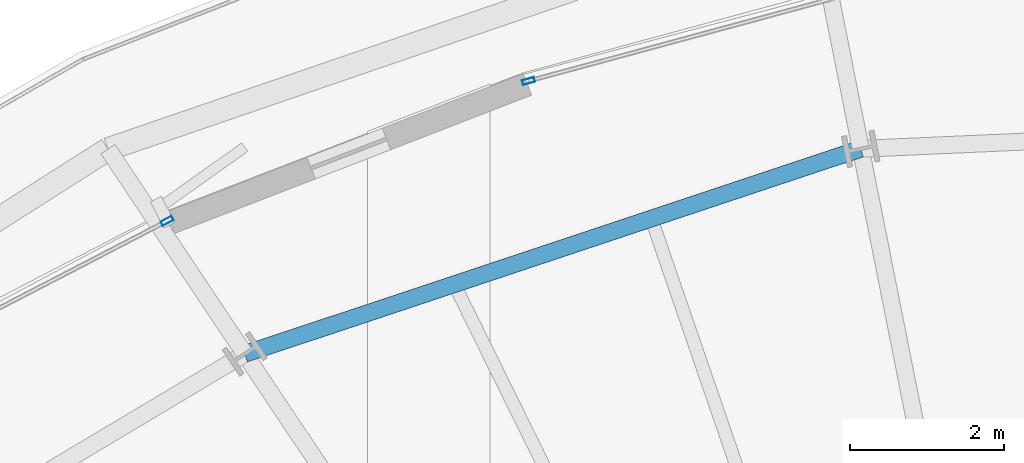
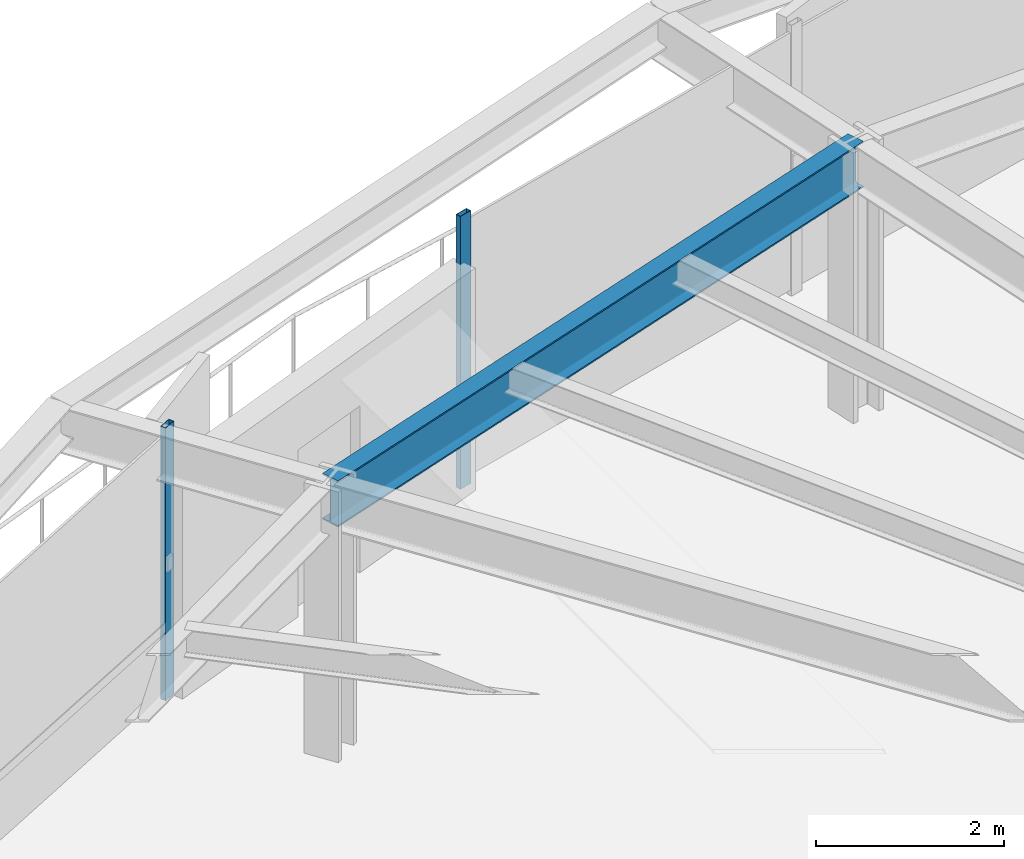
# One storey, part 21 of 38: 2 members, 1 beam, 2 elements without a shape of their own.
"""IFC4 building model written with IfcOpenShell, lengths in metres."""

from ifc_helpers import new_model, si_unit, direction, frame, origin, origin_2d, place, context, subcontext, project, spatial, hollow_rectangle, i_section, extrude, source, transform, mapped, material, layer, layer_set, material_profile, profile_set, type_object, element, aggregate, save


model = new_model("IFC4")

# Units and contexts
model_context = context("Model", 3, precision=1e-05, world=origin(), true_north=direction((0.0, 1.0)))
body_context = subcontext(model_context, "Body", "Model", "MODEL_VIEW")
ifc_project = project(units=[si_unit("LENGTHUNIT", "METRE"), si_unit("AREAUNIT", "SQUARE_METRE"), si_unit("VOLUMEUNIT", "CUBIC_METRE"), si_unit("PLANEANGLEUNIT", "RADIAN"), si_unit("MASSUNIT", "GRAM", prefix="KILO"), si_unit("THERMODYNAMICTEMPERATUREUNIT", "KELVIN")], contexts=[model_context])

# Site, building, storey
site_placement = place(None, origin())
site = spatial("IfcSite", under=ifc_project, at=site_placement, CompositionType="ELEMENT")
building_placement = place(site_placement, origin())
building = spatial("IfcBuilding", under=site, at=building_placement, Name="Kethvar Cultural Tower", CompositionType="ELEMENT")
storey_placement = place(building_placement, frame((0.0, 0.0, 67.60009765625)))
storey = spatial("IfcBuildingStorey", under=building, at=storey_placement, Name="L16", CompositionType="ELEMENT", Elevation=67.60009765625)

# Beam
ifc_material_1 = material(Name="Steel S355J2", Category="steel")
ifc_material_profile_1 = material_profile(ifc_material_1, i_section(OverallWidth=0.219970703125, OverallDepth=0.60009765625, WebThickness=0.011962890625, FlangeThickness=0.01904296875, FilletRadius=0.02392578125, at=origin_2d()), Name="Steel S355J2 — IPE600")
ifc_profile_set_1 = profile_set([ifc_material_profile_1], Name="Steel S355J2 — IPE600")
beam_type = type_object("IfcBeamType", Name="BM-IPE600", PredefinedType="BEAM", material=ifc_profile_set_1)
shared_shape_1 = source(origin(), body_context, "Body", "SweptSolid", [
    extrude(i_section(OverallWidth=0.219970703125, OverallDepth=0.60009765625, WebThickness=0.011962890625, FlangeThickness=0.01904296875, FilletRadius=0.02392578125, at=origin_2d()), origin(), (0.0, 0.0, 1.0), 8.437744140625),
])
beam_placement = place(storey_placement, frame((42.651611328125, 48.65576171875, 3.247802734375), z_axis=(-0.948772955115, -0.315958667618, 0.0), x_axis=(0.315958667618, -0.948772955115, 0.0)))
element("IfcBeam", 1, at=beam_placement, inside=storey, type_object=beam_type, Name="L16 Column Ring Tie Beam CR-05", PredefinedType="BEAM", context=body_context, shape_type="MappedRepresentation", body=[
    mapped(shared_shape_1, transform((0.0, 0.0, 0.0), scale=1.0)),
])

# Curtain wall, member
ifc_material_2 = material(Name="Aluminium 6063-T6", Category="aluminium")
ifc_layer = layer(ifc_material_2, 0.179931640625, Name="Aluminium 6063-T6", Category="aluminium")
ifc_layer_set = layer_set([ifc_layer], Name="Aluminium 6063-T6 (180 mm)")
curtain_wall_type = type_object("IfcCurtainWallType", Name="CW-SYS-02-Z1", PredefinedType="NOTDEFINED", material=ifc_layer_set)
curtain_wall_1_placement = place(storey_placement, origin())
curtain_wall_1 = element("IfcCurtainWall", 2, at=curtain_wall_1_placement, inside=storey, type_object=curtain_wall_type, Name="L16 Curtain Wall Run 02", PredefinedType="NOTDEFINED")
ifc_material_profile_2 = material_profile(ifc_material_2, hollow_rectangle(XDim=0.06494140625, YDim=0.159912109375, WallThickness=0.0048828125, at=origin_2d()), Name="Aluminium 6063-T6 — RHS160x65x5")
ifc_profile_set_2 = profile_set([ifc_material_profile_2], Name="Aluminium 6063-T6 — RHS160x65x5")
member_type = type_object("IfcMemberType", Name="CW-SYS-02-Z1-MUL", PredefinedType="MULLION", material=ifc_profile_set_2)
shared_shape_2 = source(origin(), body_context, "Body", "SweptSolid", [
    extrude(hollow_rectangle(XDim=0.06494140625, YDim=0.159912109375, WallThickness=0.0048828125, at=origin_2d()), origin(), (0.0, 0.0, 1.0), 3.5498046875),
])
member_1_placement = place(storey_placement, frame((38.3330078125, 49.537109375, 0.0), z_axis=(0.0, 0.0, 1.0), x_axis=(0.26149856025, -0.965203866024, 0.0)))
member_1 = element("IfcMember", 3, at=member_1_placement, type_object=member_type, Name="CW-L16-R02 Mullion 5", PredefinedType="MULLION", context=body_context, shape_type="MappedRepresentation", body=[
    mapped(shared_shape_2, transform((0.0, 0.0, 0.0), scale=1.0)),
])
aggregate(curtain_wall_1, [member_1])

curtain_wall_2_placement = place(storey_placement, origin())
curtain_wall_2 = element("IfcCurtainWall", 4, at=curtain_wall_2_placement, inside=storey, type_object=curtain_wall_type, Name="L16 Curtain Wall Run 03", PredefinedType="NOTDEFINED")
member_2_placement = place(storey_placement, frame((33.6376953125, 47.718505859375, 0.0), z_axis=(0.0, 0.0, 1.0), x_axis=(0.460401211858, -0.887710946266, 0.0)))
member_2 = element("IfcMember", 5, at=member_2_placement, type_object=member_type, Name="CW-L16-R03 Mullion 1", PredefinedType="MULLION", context=body_context, shape_type="MappedRepresentation", body=[
    mapped(shared_shape_2, transform((0.0, 0.0, 0.0), scale=1.0)),
])
aggregate(curtain_wall_2, [member_2])

save(model, "model.ifc")
